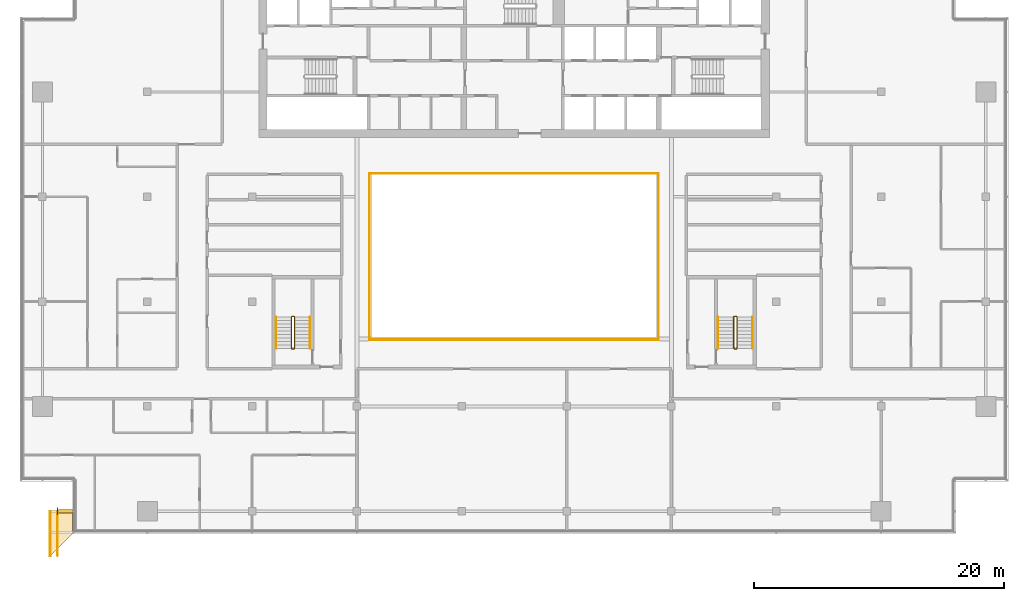
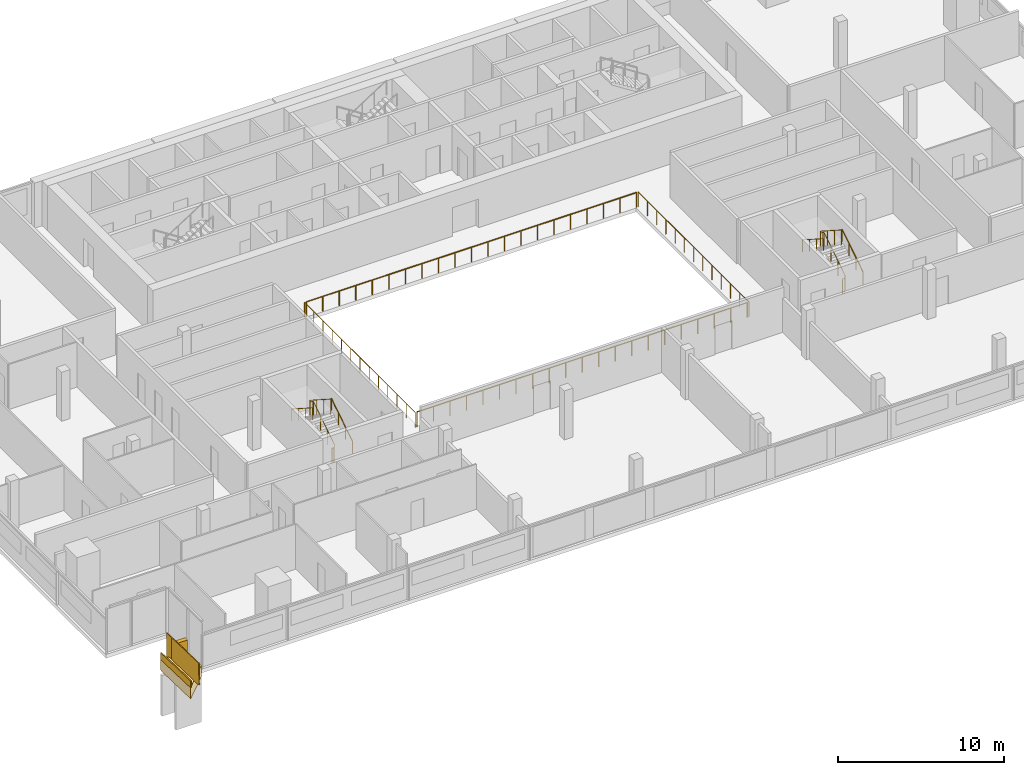
# One storey, part 24 of 25: 12 railings, 3 coverings.
"""IFC4 building model written with IfcOpenShell, lengths in metres."""

from ifc_helpers import new_model, si_unit, direction, frame, origin, origin_2d, place, context, subcontext, project, spatial, polyline, rectangle, circle, outline, extrude, material, layer, layer_set, type_object, element, save


model = new_model("IFC4")

# Units and contexts
model_context = context("Model", 3, precision=1e-05, world=origin(), true_north=direction((0.0, 1.0)))
body_context = subcontext(model_context, "Body", "Model", "MODEL_VIEW")
ifc_project = project(units=[si_unit("LENGTHUNIT", "METRE"), si_unit("AREAUNIT", "SQUARE_METRE"), si_unit("VOLUMEUNIT", "CUBIC_METRE"), si_unit("PLANEANGLEUNIT", "RADIAN"), si_unit("MASSUNIT", "GRAM", prefix="KILO")], contexts=[model_context])

# Site, building, storey
site_placement = place(None, origin())
site = spatial("IfcSite", under=ifc_project, at=site_placement, CompositionType="ELEMENT")
building_placement = place(site_placement, origin())
building = spatial("IfcBuilding", under=site, at=building_placement, Name="Saffron Gate Tower", CompositionType="ELEMENT")
storey_placement = place(building_placement, frame((0.0, 0.0, 248.699951171875)))
storey = spatial("IfcBuildingStorey", under=building, at=storey_placement, Name="L61", CompositionType="ELEMENT", Elevation=248.699951171875)

# Railings
ifc_material_1 = material(Name="Stainless steel and laminated glass", Category="steel")
railing_type_1 = type_object("IfcRailingType", Name="AG1 Atrium edge guard 1100", PredefinedType="GUARDRAIL", material=ifc_material_1)
railing_1_placement = place(storey_placement, frame((76.02001953125, 45.5400390625, 0.0)))
element("IfcRailing", 1, at=railing_1_placement, inside=storey, type_object=railing_type_1, Name="Guard D5-1", PredefinedType="GUARDRAIL", context=body_context, shape_type="SweptSolid", body=[
    extrude(circle(Radius=0.02392578125, at=origin_2d()), frame((0.0, 0.0, 1.076171875), z_axis=(0.0, 1.0, 0.0), x_axis=(-1.0, 0.0, 0.0)), (0.0, 0.0, 1.0), 13.320068359375),
    extrude(circle(Radius=0.02099609375, at=origin_2d()), origin(), (0.0, 0.0, 1.0), 1.052001953125),
    extrude(circle(Radius=0.02099609375, at=origin_2d()), frame((0.0, 1.110107421875, 0.0)), (0.0, 0.0, 1.0), 1.052001953125),
    extrude(circle(Radius=0.02099609375, at=origin_2d()), frame((0.0, 2.219970703125, 0.0)), (0.0, 0.0, 1.0), 1.052001953125),
    extrude(circle(Radius=0.02099609375, at=origin_2d()), frame((0.0, 3.330078125, 0.0)), (0.0, 0.0, 1.0), 1.052001953125),
    extrude(circle(Radius=0.02099609375, at=origin_2d()), frame((0.0, 4.43994140625, 0.0)), (0.0, 0.0, 1.0), 1.052001953125),
    extrude(circle(Radius=0.02099609375, at=origin_2d()), frame((0.0, 5.550048828125, 0.0)), (0.0, 0.0, 1.0), 1.052001953125),
    extrude(circle(Radius=0.02099609375, at=origin_2d()), frame((0.0, 6.66015625, 0.0)), (0.0, 0.0, 1.0), 1.052001953125),
    extrude(circle(Radius=0.02099609375, at=origin_2d()), frame((0.0, 7.77001953125, 0.0)), (0.0, 0.0, 1.0), 1.052001953125),
    extrude(circle(Radius=0.02099609375, at=origin_2d()), frame((0.0, 8.880126953125, 0.0)), (0.0, 0.0, 1.0), 1.052001953125),
    extrude(circle(Radius=0.02099609375, at=origin_2d()), frame((0.0, 9.989990234375, 0.0)), (0.0, 0.0, 1.0), 1.052001953125),
    extrude(circle(Radius=0.02099609375, at=origin_2d()), frame((0.0, 11.10009765625, 0.0)), (0.0, 0.0, 1.0), 1.052001953125),
    extrude(circle(Radius=0.02099609375, at=origin_2d()), frame((0.0, 12.2099609375, 0.0)), (0.0, 0.0, 1.0), 1.052001953125),
    extrude(circle(Radius=0.02099609375, at=origin_2d()), frame((0.0, 13.320068359375, 0.0)), (0.0, 0.0, 1.0), 1.052001953125),
])
railing_2_placement = place(storey_placement, frame((76.139892578125, 58.860107421875, 0.0)))
element("IfcRailing", 2, at=railing_2_placement, inside=storey, type_object=railing_type_1, Name="Guard D5-2", PredefinedType="GUARDRAIL", context=body_context, shape_type="SweptSolid", body=[
    extrude(circle(Radius=0.02392578125, at=origin_2d()), frame((0.0, 0.0, 1.076171875), z_axis=(1.0, 0.0, 0.0), x_axis=(0.0, 1.0, 0.0)), (0.0, 0.0, 1.0), 22.920166015625),
    extrude(circle(Radius=0.02099609375, at=origin_2d()), origin(), (0.0, 0.0, 1.0), 1.052001953125),
    extrude(circle(Radius=0.02099609375, at=origin_2d()), frame((1.14599609375, 0.0, 0.0)), (0.0, 0.0, 1.0), 1.052001953125),
    extrude(circle(Radius=0.02099609375, at=origin_2d()), frame((2.2919921875, 0.0, 0.0)), (0.0, 0.0, 1.0), 1.052001953125),
    extrude(circle(Radius=0.02099609375, at=origin_2d()), frame((3.43798828125, 0.0, 0.0)), (0.0, 0.0, 1.0), 1.052001953125),
    extrude(circle(Radius=0.02099609375, at=origin_2d()), frame((4.583984375, 0.0, 0.0)), (0.0, 0.0, 1.0), 1.052001953125),
    extrude(circle(Radius=0.02099609375, at=origin_2d()), frame((5.72998046875, 0.0, 0.0)), (0.0, 0.0, 1.0), 1.052001953125),
    extrude(circle(Radius=0.02099609375, at=origin_2d()), frame((6.8759765625, 0.0, 0.0)), (0.0, 0.0, 1.0), 1.052001953125),
    extrude(circle(Radius=0.02099609375, at=origin_2d()), frame((8.02197265625, 0.0, 0.0)), (0.0, 0.0, 1.0), 1.052001953125),
    extrude(circle(Radius=0.02099609375, at=origin_2d()), frame((9.16796875, 0.0, 0.0)), (0.0, 0.0, 1.0), 1.052001953125),
    extrude(circle(Radius=0.02099609375, at=origin_2d()), frame((10.31396484375, 0.0, 0.0)), (0.0, 0.0, 1.0), 1.052001953125),
    extrude(circle(Radius=0.02099609375, at=origin_2d()), frame((11.4599609375, 0.0, 0.0)), (0.0, 0.0, 1.0), 1.052001953125),
    extrude(circle(Radius=0.02099609375, at=origin_2d()), frame((12.606201171875, 0.0, 0.0)), (0.0, 0.0, 1.0), 1.052001953125),
    extrude(circle(Radius=0.02099609375, at=origin_2d()), frame((13.752197265625, 0.0, 0.0)), (0.0, 0.0, 1.0), 1.052001953125),
    extrude(circle(Radius=0.02099609375, at=origin_2d()), frame((14.898193359375, 0.0, 0.0)), (0.0, 0.0, 1.0), 1.052001953125),
    extrude(circle(Radius=0.02099609375, at=origin_2d()), frame((16.044189453125, 0.0, 0.0)), (0.0, 0.0, 1.0), 1.052001953125),
    extrude(circle(Radius=0.02099609375, at=origin_2d()), frame((17.190185546875, 0.0, 0.0)), (0.0, 0.0, 1.0), 1.052001953125),
    extrude(circle(Radius=0.02099609375, at=origin_2d()), frame((18.336181640625, 0.0, 0.0)), (0.0, 0.0, 1.0), 1.052001953125),
    extrude(circle(Radius=0.02099609375, at=origin_2d()), frame((19.482177734375, 0.0, 0.0)), (0.0, 0.0, 1.0), 1.052001953125),
    extrude(circle(Radius=0.02099609375, at=origin_2d()), frame((20.628173828125, 0.0, 0.0)), (0.0, 0.0, 1.0), 1.052001953125),
    extrude(circle(Radius=0.02099609375, at=origin_2d()), frame((21.774169921875, 0.0, 0.0)), (0.0, 0.0, 1.0), 1.052001953125),
    extrude(circle(Radius=0.02099609375, at=origin_2d()), frame((22.920166015625, 0.0, 0.0)), (0.0, 0.0, 1.0), 1.052001953125),
])
railing_3_placement = place(storey_placement, frame((99.179931640625, 58.860107421875, 0.0)))
element("IfcRailing", 3, at=railing_3_placement, inside=storey, type_object=railing_type_1, Name="Guard D5-3", PredefinedType="GUARDRAIL", context=body_context, shape_type="SweptSolid", body=[
    extrude(circle(Radius=0.02392578125, at=origin_2d()), frame((0.0, 0.0, 1.076171875), z_axis=(0.0, -1.0, 0.0), x_axis=(1.0, 0.0, 0.0)), (0.0, 0.0, 1.0), 13.320068359375),
    extrude(circle(Radius=0.02099609375, at=origin_2d()), origin(), (0.0, 0.0, 1.0), 1.052001953125),
    extrude(circle(Radius=0.02099609375, at=origin_2d()), frame((0.0, -1.110107421875, 0.0)), (0.0, 0.0, 1.0), 1.052001953125),
    extrude(circle(Radius=0.02099609375, at=origin_2d()), frame((0.0, -2.219970703125, 0.0)), (0.0, 0.0, 1.0), 1.052001953125),
    extrude(circle(Radius=0.02099609375, at=origin_2d()), frame((0.0, -3.330078125, 0.0)), (0.0, 0.0, 1.0), 1.052001953125),
    extrude(circle(Radius=0.02099609375, at=origin_2d()), frame((0.0, -4.43994140625, 0.0)), (0.0, 0.0, 1.0), 1.052001953125),
    extrude(circle(Radius=0.02099609375, at=origin_2d()), frame((0.0, -5.550048828125, 0.0)), (0.0, 0.0, 1.0), 1.052001953125),
    extrude(circle(Radius=0.02099609375, at=origin_2d()), frame((0.0, -6.66015625, 0.0)), (0.0, 0.0, 1.0), 1.052001953125),
    extrude(circle(Radius=0.02099609375, at=origin_2d()), frame((0.0, -7.77001953125, 0.0)), (0.0, 0.0, 1.0), 1.052001953125),
    extrude(circle(Radius=0.02099609375, at=origin_2d()), frame((0.0, -8.880126953125, 0.0)), (0.0, 0.0, 1.0), 1.052001953125),
    extrude(circle(Radius=0.02099609375, at=origin_2d()), frame((0.0, -9.989990234375, 0.0)), (0.0, 0.0, 1.0), 1.052001953125),
    extrude(circle(Radius=0.02099609375, at=origin_2d()), frame((0.0, -11.10009765625, 0.0)), (0.0, 0.0, 1.0), 1.052001953125),
    extrude(circle(Radius=0.02099609375, at=origin_2d()), frame((0.0, -12.2099609375, 0.0)), (0.0, 0.0, 1.0), 1.052001953125),
    extrude(circle(Radius=0.02099609375, at=origin_2d()), frame((0.0, -13.320068359375, 0.0)), (0.0, 0.0, 1.0), 1.052001953125),
])
railing_4_placement = place(storey_placement, frame((99.06005859375, 45.5400390625, 0.0)))
element("IfcRailing", 4, at=railing_4_placement, inside=storey, type_object=railing_type_1, Name="Guard D5-4", PredefinedType="GUARDRAIL", context=body_context, shape_type="SweptSolid", body=[
    extrude(circle(Radius=0.02392578125, at=origin_2d()), frame((0.0, 0.0, 1.076171875), z_axis=(-1.0, 0.0, 0.0), x_axis=(0.0, -1.0, 0.0)), (0.0, 0.0, 1.0), 22.920166015625),
    extrude(circle(Radius=0.02099609375, at=origin_2d()), origin(), (0.0, 0.0, 1.0), 1.052001953125),
    extrude(circle(Radius=0.02099609375, at=origin_2d()), frame((-1.14599609375, 0.0, 0.0)), (0.0, 0.0, 1.0), 1.052001953125),
    extrude(circle(Radius=0.02099609375, at=origin_2d()), frame((-2.2919921875, 0.0, 0.0)), (0.0, 0.0, 1.0), 1.052001953125),
    extrude(circle(Radius=0.02099609375, at=origin_2d()), frame((-3.43798828125, 0.0, 0.0)), (0.0, 0.0, 1.0), 1.052001953125),
    extrude(circle(Radius=0.02099609375, at=origin_2d()), frame((-4.583984375, 0.0, 0.0)), (0.0, 0.0, 1.0), 1.052001953125),
    extrude(circle(Radius=0.02099609375, at=origin_2d()), frame((-5.72998046875, 0.0, 0.0)), (0.0, 0.0, 1.0), 1.052001953125),
    extrude(circle(Radius=0.02099609375, at=origin_2d()), frame((-6.8759765625, 0.0, 0.0)), (0.0, 0.0, 1.0), 1.052001953125),
    extrude(circle(Radius=0.02099609375, at=origin_2d()), frame((-8.02197265625, 0.0, 0.0)), (0.0, 0.0, 1.0), 1.052001953125),
    extrude(circle(Radius=0.02099609375, at=origin_2d()), frame((-9.16796875, 0.0, 0.0)), (0.0, 0.0, 1.0), 1.052001953125),
    extrude(circle(Radius=0.02099609375, at=origin_2d()), frame((-10.31396484375, 0.0, 0.0)), (0.0, 0.0, 1.0), 1.052001953125),
    extrude(circle(Radius=0.02099609375, at=origin_2d()), frame((-11.4599609375, 0.0, 0.0)), (0.0, 0.0, 1.0), 1.052001953125),
    extrude(circle(Radius=0.02099609375, at=origin_2d()), frame((-12.606201171875, 0.0, 0.0)), (0.0, 0.0, 1.0), 1.052001953125),
    extrude(circle(Radius=0.02099609375, at=origin_2d()), frame((-13.752197265625, 0.0, 0.0)), (0.0, 0.0, 1.0), 1.052001953125),
    extrude(circle(Radius=0.02099609375, at=origin_2d()), frame((-14.898193359375, 0.0, 0.0)), (0.0, 0.0, 1.0), 1.052001953125),
    extrude(circle(Radius=0.02099609375, at=origin_2d()), frame((-16.044189453125, 0.0, 0.0)), (0.0, 0.0, 1.0), 1.052001953125),
    extrude(circle(Radius=0.02099609375, at=origin_2d()), frame((-17.190185546875, 0.0, 0.0)), (0.0, 0.0, 1.0), 1.052001953125),
    extrude(circle(Radius=0.02099609375, at=origin_2d()), frame((-18.336181640625, 0.0, 0.0)), (0.0, 0.0, 1.0), 1.052001953125),
    extrude(circle(Radius=0.02099609375, at=origin_2d()), frame((-19.482177734375, 0.0, 0.0)), (0.0, 0.0, 1.0), 1.052001953125),
    extrude(circle(Radius=0.02099609375, at=origin_2d()), frame((-20.628173828125, 0.0, 0.0)), (0.0, 0.0, 1.0), 1.052001953125),
    extrude(circle(Radius=0.02099609375, at=origin_2d()), frame((-21.774169921875, 0.0, 0.0)), (0.0, 0.0, 1.0), 1.052001953125),
    extrude(circle(Radius=0.02099609375, at=origin_2d()), frame((-22.920166015625, 0.0, 0.0)), (0.0, 0.0, 1.0), 1.052001953125),
])
railing_type_2 = type_object("IfcRailingType", Name="CR1 Stair guard 1100", PredefinedType="GUARDRAIL", material=ifc_material_1)
railing_5_placement = place(storey_placement, frame((69.800048828125, 44.800048828125, 0.0)))
element("IfcRailing", 5, at=railing_5_placement, inside=storey, type_object=railing_type_2, Name="L61 ST-D stair guard 1", PredefinedType="GUARDRAIL", context=body_context, shape_type="SweptSolid", body=[
    extrude(circle(Radius=0.02392578125, at=origin_2d()), frame((0.0, 0.0, 1.076171875), z_axis=(1.0, 0.0, 0.0), x_axis=(0.0, 1.0, 0.0)), (0.0, 0.0, 1.0), 0.14990234375),
    extrude(circle(Radius=0.02392578125, at=origin_2d()), frame((0.14990234375, 0.0, 1.076171875), z_axis=(0.258847668887, 0.258847668887, 0.930588936439), x_axis=(-0.707106781187, 0.707106781187, 0.0)), (0.0, 0.0, 1.0), 0.193359375),
    extrude(circle(Radius=0.02392578125, at=origin_2d()), frame((0.199951171875, 0.050048828125, 1.255859375), z_axis=(0.0, 0.841162588446, 0.540782303519), x_axis=(-1.0, 0.0, 0.0)), (0.0, 0.0, 1.0), 2.995849609375),
    extrude(circle(Radius=0.02392578125, at=origin_2d()), frame((0.199951171875, 2.570068359375, 2.8759765625), z_axis=(-0.708833529934, 0.705375805398, 0.0), x_axis=(-0.705375805398, -0.708833529934, 0.0)), (0.0, 0.0, 1.0), 0.070556640625),
    extrude(circle(Radius=0.02392578125, at=origin_2d()), frame((0.14990234375, 2.619873046875, 2.8759765625), z_axis=(-1.0, 0.0, 0.0), x_axis=(0.0, -1.0, 0.0)), (0.0, 0.0, 1.0), 0.14990234375),
    extrude(circle(Radius=0.02392578125, at=origin_2d()), frame((0.0, 2.619873046875, 2.8759765625), z_axis=(-0.258932105505, -0.257669022063, 0.930892496375), x_axis=(0.705375805398, -0.708833529934, 0.0)), (0.0, 0.0, 1.0), 0.193359375),
    extrude(circle(Radius=0.02392578125, at=origin_2d()), frame((-0.050048828125, 2.570068359375, 3.05615234375), z_axis=(0.0, -0.841162588446, 0.540782303519), x_axis=(1.0, 0.0, 0.0)), (0.0, 0.0, 1.0), 2.995849609375),
    extrude(circle(Radius=0.02099609375, at=origin_2d()), origin(), (0.0, 0.0, 1.0), 1.052001953125),
    extrude(circle(Radius=0.02099609375, at=origin_2d()), frame((0.14990234375, 0.0, 0.0)), (0.0, 0.0, 1.0), 1.052001953125),
    extrude(circle(Radius=0.02099609375, at=origin_2d()), frame((0.199951171875, 0.050048828125, 0.179931640625)), (0.0, 0.0, 1.0), 1.052001953125),
    extrude(circle(Radius=0.02099609375, at=origin_2d()), frame((0.199951171875, 0.89013671875, 0.719970703125)), (0.0, 0.0, 1.0), 1.052001953125),
    extrude(circle(Radius=0.02099609375, at=origin_2d()), frame((0.199951171875, 1.72998046875, 1.260009765625)), (0.0, 0.0, 1.0), 1.052001953125),
    extrude(circle(Radius=0.02099609375, at=origin_2d()), frame((0.199951171875, 2.570068359375, 1.800048828125)), (0.0, 0.0, 1.0), 1.052001953125),
    extrude(circle(Radius=0.02099609375, at=origin_2d()), frame((0.14990234375, 2.619873046875, 1.800048828125)), (0.0, 0.0, 1.0), 1.052001953125),
    extrude(circle(Radius=0.02099609375, at=origin_2d()), frame((0.0, 2.619873046875, 1.800048828125)), (0.0, 0.0, 1.0), 1.052001953125),
    extrude(circle(Radius=0.02099609375, at=origin_2d()), frame((-0.050048828125, 2.570068359375, 1.97998046875)), (0.0, 0.0, 1.0), 1.052001953125),
    extrude(circle(Radius=0.02099609375, at=origin_2d()), frame((-0.050048828125, 1.72998046875, 2.52001953125)), (0.0, 0.0, 1.0), 1.052001953125),
    extrude(circle(Radius=0.02099609375, at=origin_2d()), frame((-0.050048828125, 0.89013671875, 3.06005859375)), (0.0, 0.0, 1.0), 1.052001953125),
    extrude(circle(Radius=0.02099609375, at=origin_2d()), frame((-0.050048828125, 0.050048828125, 3.60009765625)), (0.0, 0.0, 1.0), 1.052001953125),
])
railing_6_placement = place(storey_placement, frame((105.25, 44.800048828125, 0.0)))
element("IfcRailing", 6, at=railing_6_placement, inside=storey, type_object=railing_type_2, Name="L61 ST-E stair guard 1", PredefinedType="GUARDRAIL", context=body_context, shape_type="SweptSolid", body=[
    extrude(circle(Radius=0.02392578125, at=origin_2d()), frame((0.0, 0.0, 1.076171875), z_axis=(1.0, 0.0, 0.0), x_axis=(0.0, 1.0, 0.0)), (0.0, 0.0, 1.0), 0.14990234375),
    extrude(circle(Radius=0.02392578125, at=origin_2d()), frame((0.14990234375, 0.0, 1.076171875), z_axis=(0.258847668887, 0.258847668887, 0.930588936439), x_axis=(-0.707106781187, 0.707106781187, 0.0)), (0.0, 0.0, 1.0), 0.193359375),
    extrude(circle(Radius=0.02392578125, at=origin_2d()), frame((0.199951171875, 0.050048828125, 1.255859375), z_axis=(0.0, 0.841162588446, 0.540782303519), x_axis=(-1.0, 0.0, 0.0)), (0.0, 0.0, 1.0), 2.995849609375),
    extrude(circle(Radius=0.02392578125, at=origin_2d()), frame((0.199951171875, 2.570068359375, 2.8759765625), z_axis=(-0.708833529934, 0.705375805398, 0.0), x_axis=(-0.705375805398, -0.708833529934, 0.0)), (0.0, 0.0, 1.0), 0.070556640625),
    extrude(circle(Radius=0.02392578125, at=origin_2d()), frame((0.14990234375, 2.619873046875, 2.8759765625), z_axis=(-1.0, 0.0, 0.0), x_axis=(0.0, -1.0, 0.0)), (0.0, 0.0, 1.0), 0.14990234375),
    extrude(circle(Radius=0.02392578125, at=origin_2d()), frame((0.0, 2.619873046875, 2.8759765625), z_axis=(-0.258932105505, -0.257669022063, 0.930892496375), x_axis=(0.705375805398, -0.708833529934, 0.0)), (0.0, 0.0, 1.0), 0.193359375),
    extrude(circle(Radius=0.02392578125, at=origin_2d()), frame((-0.050048828125, 2.570068359375, 3.05615234375), z_axis=(0.0, -0.841162588446, 0.540782303519), x_axis=(1.0, 0.0, 0.0)), (0.0, 0.0, 1.0), 2.995849609375),
    extrude(circle(Radius=0.02099609375, at=origin_2d()), origin(), (0.0, 0.0, 1.0), 1.052001953125),
    extrude(circle(Radius=0.02099609375, at=origin_2d()), frame((0.14990234375, 0.0, 0.0)), (0.0, 0.0, 1.0), 1.052001953125),
    extrude(circle(Radius=0.02099609375, at=origin_2d()), frame((0.199951171875, 0.050048828125, 0.179931640625)), (0.0, 0.0, 1.0), 1.052001953125),
    extrude(circle(Radius=0.02099609375, at=origin_2d()), frame((0.199951171875, 0.89013671875, 0.719970703125)), (0.0, 0.0, 1.0), 1.052001953125),
    extrude(circle(Radius=0.02099609375, at=origin_2d()), frame((0.199951171875, 1.72998046875, 1.260009765625)), (0.0, 0.0, 1.0), 1.052001953125),
    extrude(circle(Radius=0.02099609375, at=origin_2d()), frame((0.199951171875, 2.570068359375, 1.800048828125)), (0.0, 0.0, 1.0), 1.052001953125),
    extrude(circle(Radius=0.02099609375, at=origin_2d()), frame((0.14990234375, 2.619873046875, 1.800048828125)), (0.0, 0.0, 1.0), 1.052001953125),
    extrude(circle(Radius=0.02099609375, at=origin_2d()), frame((0.0, 2.619873046875, 1.800048828125)), (0.0, 0.0, 1.0), 1.052001953125),
    extrude(circle(Radius=0.02099609375, at=origin_2d()), frame((-0.050048828125, 2.570068359375, 1.97998046875)), (0.0, 0.0, 1.0), 1.052001953125),
    extrude(circle(Radius=0.02099609375, at=origin_2d()), frame((-0.050048828125, 1.72998046875, 2.52001953125)), (0.0, 0.0, 1.0), 1.052001953125),
    extrude(circle(Radius=0.02099609375, at=origin_2d()), frame((-0.050048828125, 0.89013671875, 3.06005859375)), (0.0, 0.0, 1.0), 1.052001953125),
    extrude(circle(Radius=0.02099609375, at=origin_2d()), frame((-0.050048828125, 0.050048828125, 3.60009765625)), (0.0, 0.0, 1.0), 1.052001953125),
])
ifc_material_2 = material(Name="Stainless steel", Category="steel")
railing_type_3 = type_object("IfcRailingType", Name="CR2 Stair handrail 900", PredefinedType="HANDRAIL", material=ifc_material_2)
railing_7_placement = place(storey_placement, frame((71.25, 44.85009765625, 0.179931640625)))
element("IfcRailing", 7, at=railing_7_placement, inside=storey, type_object=railing_type_3, Name="L61 ST-D stair handrail 1", PredefinedType="HANDRAIL", context=body_context, shape_type="SweptSolid", body=[
    extrude(circle(Radius=0.02392578125, at=origin_2d()), frame((0.0, 0.0, 0.8759765625), z_axis=(0.0, 0.841162588446, 0.540782303519), x_axis=(-1.0, 0.0, 0.0)), (0.0, 0.0, 1.0), 2.995849609375),
    extrude(circle(Radius=0.02099609375, at=origin_2d()), origin(), (0.0, 0.0, 1.0), 0.851806640625),
    extrude(circle(Radius=0.02099609375, at=origin_2d()), frame((0.0, 0.840087890625, 0.5400390625)), (0.0, 0.0, 1.0), 0.851806640625),
    extrude(circle(Radius=0.02099609375, at=origin_2d()), frame((0.0, 1.679931640625, 1.080078125)), (0.0, 0.0, 1.0), 0.851806640625),
    extrude(circle(Radius=0.02099609375, at=origin_2d()), frame((0.0, 2.52001953125, 1.6201171875)), (0.0, 0.0, 1.0), 0.851806640625),
])
railing_8_placement = place(storey_placement, frame((68.5, 47.3701171875, 1.97998046875)))
element("IfcRailing", 8, at=railing_8_placement, inside=storey, type_object=railing_type_3, Name="L61 ST-D stair handrail 2", PredefinedType="HANDRAIL", context=body_context, shape_type="SweptSolid", body=[
    extrude(circle(Radius=0.02392578125, at=origin_2d()), frame((0.0, 0.0, 0.8759765625), z_axis=(0.0, -0.841162588446, 0.540782303519), x_axis=(1.0, 0.0, 0.0)), (0.0, 0.0, 1.0), 2.995849609375),
    extrude(circle(Radius=0.02099609375, at=origin_2d()), origin(), (0.0, 0.0, 1.0), 0.851806640625),
    extrude(circle(Radius=0.02099609375, at=origin_2d()), frame((0.0, -0.840087890625, 0.5400390625)), (0.0, 0.0, 1.0), 0.851806640625),
    extrude(circle(Radius=0.02099609375, at=origin_2d()), frame((0.0, -1.679931640625, 1.080078125)), (0.0, 0.0, 1.0), 0.851806640625),
    extrude(circle(Radius=0.02099609375, at=origin_2d()), frame((0.0, -2.52001953125, 1.6201171875)), (0.0, 0.0, 1.0), 0.851806640625),
])
railing_9_placement = place(storey_placement, frame((106.699951171875, 44.85009765625, 0.179931640625)))
element("IfcRailing", 9, at=railing_9_placement, inside=storey, type_object=railing_type_3, Name="L61 ST-E stair handrail 1", PredefinedType="HANDRAIL", context=body_context, shape_type="SweptSolid", body=[
    extrude(circle(Radius=0.02392578125, at=origin_2d()), frame((0.0, 0.0, 0.8759765625), z_axis=(0.0, 0.841162588446, 0.540782303519), x_axis=(-1.0, 0.0, 0.0)), (0.0, 0.0, 1.0), 2.995849609375),
    extrude(circle(Radius=0.02099609375, at=origin_2d()), origin(), (0.0, 0.0, 1.0), 0.851806640625),
    extrude(circle(Radius=0.02099609375, at=origin_2d()), frame((0.0, 0.840087890625, 0.5400390625)), (0.0, 0.0, 1.0), 0.851806640625),
    extrude(circle(Radius=0.02099609375, at=origin_2d()), frame((0.0, 1.679931640625, 1.080078125)), (0.0, 0.0, 1.0), 0.851806640625),
    extrude(circle(Radius=0.02099609375, at=origin_2d()), frame((0.0, 2.52001953125, 1.6201171875)), (0.0, 0.0, 1.0), 0.851806640625),
])
railing_10_placement = place(storey_placement, frame((103.949951171875, 47.3701171875, 1.97998046875)))
element("IfcRailing", 10, at=railing_10_placement, inside=storey, type_object=railing_type_3, Name="L61 ST-E stair handrail 2", PredefinedType="HANDRAIL", context=body_context, shape_type="SweptSolid", body=[
    extrude(circle(Radius=0.02392578125, at=origin_2d()), frame((0.0, 0.0, 0.8759765625), z_axis=(0.0, -0.841162588446, 0.540782303519), x_axis=(1.0, 0.0, 0.0)), (0.0, 0.0, 1.0), 2.995849609375),
    extrude(circle(Radius=0.02099609375, at=origin_2d()), origin(), (0.0, 0.0, 1.0), 0.851806640625),
    extrude(circle(Radius=0.02099609375, at=origin_2d()), frame((0.0, -0.840087890625, 0.5400390625)), (0.0, 0.0, 1.0), 0.851806640625),
    extrude(circle(Radius=0.02099609375, at=origin_2d()), frame((0.0, -1.679931640625, 1.080078125)), (0.0, 0.0, 1.0), 0.851806640625),
    extrude(circle(Radius=0.02099609375, at=origin_2d()), frame((0.0, -2.52001953125, 1.6201171875)), (0.0, 0.0, 1.0), 0.851806640625),
])

# Coverings
ifc_material_3 = material(Name="Timber, thermally modified ash", Category="wood")
ifc_layer_1 = layer(ifc_material_3, 0.800048828125)
ifc_layer_set_1 = layer_set([ifc_layer_1], Name="LD1 ledge timber")
covering_type_1 = type_object("IfcCoveringType", Name="LD1 ledge timber", PredefinedType="CLADDING", material=ifc_layer_set_1)
covering_1_placement = place(storey_placement, frame((52.199951171875, 31.800048828125, 0.2490234375), z_axis=(4.5191264e-05, 0.028786835276, 0.999585572161), x_axis=(2.041e-09, -0.999585573182, 0.028786835305)))
element("IfcCovering", 11, at=covering_1_placement, inside=storey, type_object=covering_type_1, Name="LEDGE", PredefinedType="CLADDING", context=body_context, shape_type="SweptSolid", body=[
    extrude(outline(polyline([(0.0, 0.0), (1.8007927832406818, 0.0), (3.601592590842695, -1.8000488373153904), (-3.674631647332522e-09, -1.800048826286925), (0.0, 0.0)])), origin(), (0.0, 0.0, -1.0), 0.800048828125),
])
ifc_layer_2 = layer(ifc_material_3, 0.080078125)
ifc_layer_set_2 = layer_set([ifc_layer_2], Name="LD2 ledge planter trough")
covering_type_2 = type_object("IfcCoveringType", Name="LD2 ledge planter trough", PredefinedType="CLADDING", material=ifc_layer_set_2)
covering_2_placement = place(storey_placement, frame((50.39990234375, 31.800048828125, 0.2490234375), z_axis=(-1.0, 0.0, 0.0), x_axis=(0.0, -0.99958492274, 0.028809412191)))
element("IfcCovering", 12, at=covering_2_placement, inside=storey, type_object=covering_type_2, Name="LEDGE planter trough", PredefinedType="CLADDING", context=body_context, shape_type="SweptSolid", body=[
    extrude(outline(polyline([(0.0, 0.0), (3.601592595435983, 0.0), (3.6159973015313485, 0.4997924613700232), (0.014404706095365512, 0.4997924613700232), (0.0, 0.0)])), origin(), (0.0, 0.0, -1.0), 0.080078125),
])
ifc_layer_3 = layer(ifc_material_3, 0.300048828125)
ifc_layer_set_3 = layer_set([ifc_layer_3], Name="LD3 ledge riser fin")
covering_type_3 = type_object("IfcCoveringType", Name="LD3 ledge riser fin", PredefinedType="CLADDING", material=ifc_layer_set_3)
covering_3_placement = place(storey_placement, frame((51.639892578125, 31.800048828125, -0.89404296875), z_axis=(0.0, 0.0, 1.0), x_axis=(0.0, -1.0, 0.0)))
element("IfcCovering", 13, at=covering_3_placement, inside=storey, type_object=covering_type_3, Name="LEDGE riser fin", PredefinedType="CLADDING", context=body_context, shape_type="SweptSolid", body=[
    extrude(rectangle(XDim=0.300048828125, YDim=1.1201171875, at=origin_2d()), origin(), (0.0, 0.0, 1.0), 2.04296875),
])

# Railings
railing_type_4 = type_object("IfcRailingType", Name="LG1 ledge balustrade", PredefinedType="BALUSTRADE", material=ifc_material_3)
railing_11_placement = place(storey_placement, frame((51.0, 31.800048828125, 0.2490234375)))
element("IfcRailing", 14, at=railing_11_placement, inside=storey, type_object=railing_type_4, Name="LEDGE BALUSTRADE", PredefinedType="BALUSTRADE", context=body_context, shape_type="SweptSolid", body=[
    extrude(rectangle(XDim=0.06005859375, YDim=1.60009765625, at=origin_2d()), frame((0.0, 0.0, 0.800048828125), z_axis=(0.0, -0.99958492274, 0.028809412191), x_axis=(1.0, 0.0, 0.0)), (0.0, 0.0, 1.0), 3.6015625),
])
railing_12_placement = place(storey_placement, frame((51.0, 32.10009765625, -0.093994140625)))
element("IfcRailing", 15, at=railing_12_placement, inside=storey, type_object=railing_type_4, Name="LEDGE BALUSTRADE", PredefinedType="BALUSTRADE", context=body_context, shape_type="SweptSolid", body=[
    extrude(rectangle(XDim=0.06005859375, YDim=1.943115234375, at=origin_2d()), frame((0.0, 0.0, 0.9716796875), z_axis=(0.0, -1.0, 0.0), x_axis=(1.0, 0.0, 0.0)), (0.0, 0.0, 1.0), 0.60009765625),
])

save(model, "model.ifc")
